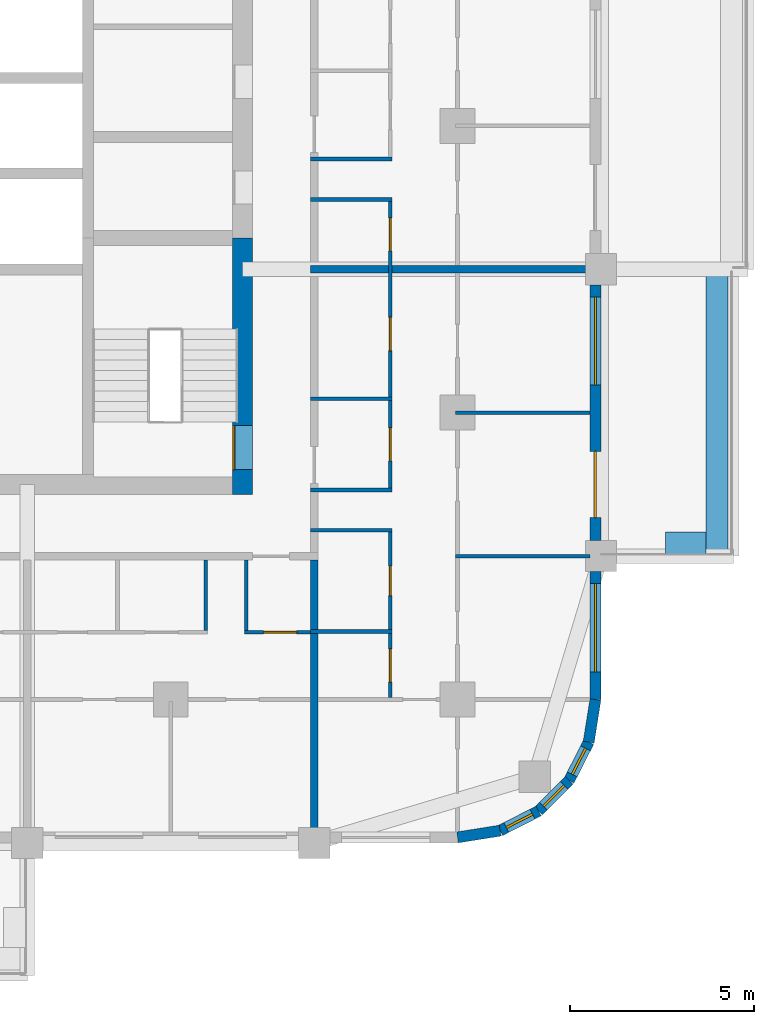
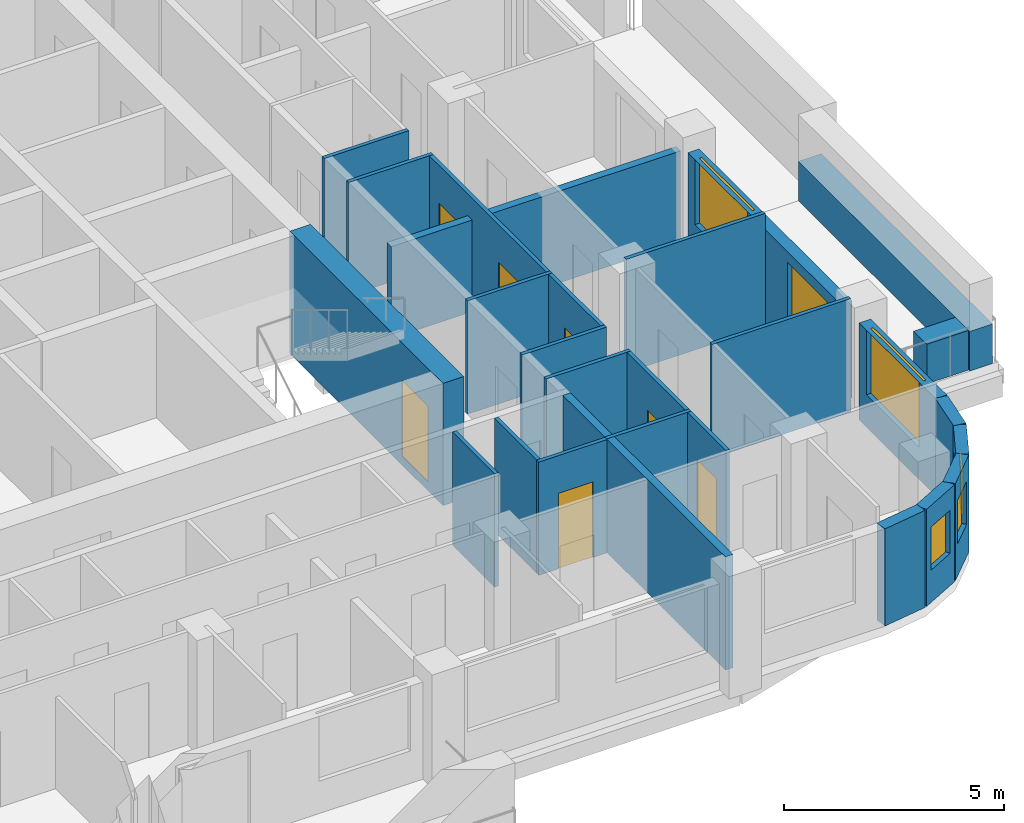
# One storey, part 6 of 13: 25 walls, 8 doors, 5 windows, 13 openings.
"""IFC4 building model written with IfcOpenShell, lengths in metres."""

from ifc_helpers import new_model, si_unit, direction, frame, frame_2d, origin, place, context, subcontext, project, spatial, rectangle, extrude, material, layer, layer_set, type_object, element, fill, save


model = new_model("IFC4")

# Units and contexts
model_context = context("Model", 3, precision=1e-05, world=origin(), true_north=direction((0.0, 1.0)))
body_context = subcontext(model_context, "Body", "Model", "MODEL_VIEW")
ifc_project = project(units=[si_unit("LENGTHUNIT", "METRE"), si_unit("AREAUNIT", "SQUARE_METRE"), si_unit("VOLUMEUNIT", "CUBIC_METRE"), si_unit("PLANEANGLEUNIT", "RADIAN"), si_unit("MASSUNIT", "GRAM", prefix="KILO")], contexts=[model_context])

# Site, building, storey
site_placement = place(None, origin())
site = spatial("IfcSite", under=ifc_project, at=site_placement, CompositionType="ELEMENT")
building_placement = place(site_placement, origin())
building = spatial("IfcBuilding", under=site, at=building_placement, Name="Ludao Terraces", CompositionType="ELEMENT")
storey_placement = place(building_placement, frame((0.0, 0.0, 130.5)))
storey = spatial("IfcBuildingStorey", under=building, at=storey_placement, Name="L35", CompositionType="ELEMENT", Elevation=130.5)

# Wall, opening, door
ifc_material_1 = material(Name="Concrete C60", Category="concrete")
ifc_layer_1 = layer(ifc_material_1, 0.550048828125)
ifc_layer_set_1 = layer_set([ifc_layer_1], Name="Core wall 550 C60")
wall_type_1 = type_object("IfcWallType", Name="Core wall 550 C60", PredefinedType="SOLIDWALL", material=ifc_layer_set_1)
wall_1_placement = place(storey_placement, frame((94.75, 54.97509765625, -0.25), z_axis=(0.0, 0.0, 1.0), x_axis=(0.0, 1.0, 0.0)))
wall_1 = element("IfcWall", 1, at=wall_1_placement, inside=storey, type_object=wall_type_1, Name="Core wall L35 outer-E-S3", PredefinedType="SOLIDWALL", context=body_context, shape_type="SweptSolid", body=[
    extrude(rectangle(XDim=6.974853515625, YDim=0.550048828125, at=frame_2d((3.4873046875, 0.0))), origin(), (0.0, 0.0, 1.0), 3.39990234375),
])
opening_1_placement = place(wall_1_placement, frame((0.675048828125, 0.0, 0.25)))
opening_1 = element("IfcOpeningElement", 2, at=opening_1_placement, cuts=wall_1, Name="Opening R11-032", PredefinedType="OPENING", context=body_context, shape_type="SweptSolid", body=[
    extrude(rectangle(XDim=1.199951171875, YDim=2.10009765625, at=frame_2d((0.60009765625, 1.050048828125))), frame((0.0, 0.28515625, 0.0), z_axis=(0.0, -1.0, 0.0), x_axis=(1.0, 0.0, 0.0)), (0.0, 0.0, 1.0), 0.570068359375),
])
ifc_material_2 = material(Name="Steel Q235", Category="steel")
door_type_1 = type_object("IfcDoorType", Name="INT Stair door 1200", OperationType="DOUBLE_DOOR_SINGLE_SWING", PredefinedType="DOOR", material=ifc_material_2)
door_1_placement = place(opening_1_placement, origin())
door_1 = element("IfcDoor", 3, at=door_1_placement, inside=storey, type_object=door_type_1, Name="DOOR 032", OperationType="DOUBLE_DOOR_SINGLE_SWING", OverallHeight=2.10009765625, OverallWidth=1.199951171875, PredefinedType="DOOR", context=body_context, shape_type="SweptSolid", body=[
    extrude(rectangle(XDim=1.199951171875, YDim=2.10009765625, at=frame_2d((0.60009765625, 1.050048828125))), frame((0.0, 0.26025390625, 0.0), z_axis=(0.0, -1.0, 0.0), x_axis=(1.0, 0.0, 0.0)), (0.0, 0.0, 1.0), 0.050048828125),
])
fill(opening_1, door_1)

# Walls
ifc_material_3 = material(Name="Concrete C40", Category="concrete")
ifc_layer_2 = layer(ifc_material_3, 0.60009765625)
ifc_layer_set_2 = layer_set([ifc_layer_2], Name="ENV Planter trough 600")
wall_type_2 = type_object("IfcWallType", Name="ENV Planter trough 600", PredefinedType="USERDEFINED", material=ifc_layer_set_2)
wall_2_placement = place(storey_placement, frame((107.64990234375, 53.300048828125, 0.0), z_axis=(0.0, 0.0, 1.0), x_axis=(0.0, 1.0, 0.0)))
element("IfcWall", 4, at=wall_2_placement, inside=storey, type_object=wall_type_2, Name="PL-L35-E1", ObjectType="PLANTER", PredefinedType="USERDEFINED", context=body_context, shape_type="SweptSolid", body=[
    extrude(rectangle(XDim=7.800048828125, YDim=0.60009765625, at=frame_2d((3.89990234375, 0.0))), origin(), (0.0, 0.0, 1.0), 1.10009765625),
])
wall_3_placement = place(storey_placement, frame((107.35009765625, 53.64990234375, 0.0), z_axis=(0.0, 0.0, 1.0), x_axis=(-1.0, 0.0, 0.0)))
element("IfcWall", 5, at=wall_3_placement, inside=storey, type_object=wall_type_2, Name="PL-L35-E1-SA", ObjectType="PLANTER", PredefinedType="USERDEFINED", context=body_context, shape_type="SweptSolid", body=[
    extrude(rectangle(XDim=1.10009765625, YDim=0.60009765625, at=frame_2d((0.550048828125, 0.0))), origin(), (0.0, 0.0, 1.0), 1.10009765625),
])

# Wall, opening, window
ifc_material_4 = material(Name="Granite cladding", Category="masonry")
ifc_layer_3 = layer(ifc_material_4, 0.0400390625, Category="stone")
ifc_material_5 = material(Name="Mineral wool")
ifc_layer_4 = layer(ifc_material_5, 0.06005859375)
ifc_layer_5 = layer(ifc_material_3, 0.199951171875, Category="concrete")
ifc_layer_set_3 = layer_set([ifc_layer_3, ifc_layer_4, ifc_layer_5], Name="ENV Stone-clad wall 300")
wall_type_3 = type_object("IfcWallType", Name="ENV Stone-clad wall 300", PredefinedType="SOLIDWALL", material=ifc_layer_set_3)
wall_4_placement = place(storey_placement, frame((104.35009765625, 49.39990234375, 0.0), z_axis=(0.0, 0.0, 1.0), x_axis=(0.0, 1.0, 0.0)))
wall_4 = element("IfcWall", 6, at=wall_4_placement, inside=storey, type_object=wall_type_3, Name="EW-L35-E1", PredefinedType="SOLIDWALL", context=body_context, shape_type="SweptSolid", body=[
    extrude(rectangle(XDim=3.47509765625, YDim=0.300048828125, at=frame_2d((1.737548828125, 0.0))), origin(), (0.0, 0.0, 1.0), 2.699951171875),
])
opening_2_placement = place(wall_4_placement, frame((0.75, 0.0, 0.89990234375)))
opening_2 = element("IfcOpeningElement", 7, at=opening_2_placement, cuts=wall_4, Name="Opening W1", PredefinedType="OPENING", context=body_context, shape_type="SweptSolid", body=[
    extrude(rectangle(XDim=2.39990234375, YDim=1.800048828125, at=frame_2d((1.199951171875, 0.89990234375))), frame((0.0, 0.16015625, 0.0), z_axis=(0.0, -1.0, 0.0), x_axis=(1.0, 0.0, 0.0)), (0.0, 0.0, 1.0), 0.320068359375),
])
ifc_material_6 = material(Name="Clear glass in aluminium frame", Category="aluminium")
ifc_layer_6 = layer(ifc_material_6, 0.06005859375)
ifc_layer_set_4 = layer_set([ifc_layer_6], Name="ENV Window W1 2400x1800")
window_type_1 = type_object("IfcWindowType", Name="ENV Window W1 2400x1800", PartitioningType="DOUBLE_PANEL_VERTICAL", PredefinedType="WINDOW", material=ifc_layer_set_4)
window_1_placement = place(opening_2_placement, origin())
window_1 = element("IfcWindow", 8, at=window_1_placement, inside=storey, type_object=window_type_1, Name="W-L35-E1-1", OverallHeight=1.800048828125, OverallWidth=2.39990234375, PartitioningType="DOUBLE_PANEL_VERTICAL", PredefinedType="WINDOW", context=body_context, shape_type="SweptSolid", body=[
    extrude(rectangle(XDim=2.39990234375, YDim=1.800048828125, at=frame_2d((1.199951171875, 0.89990234375))), frame((0.0, 0.030029296875, 0.0), z_axis=(0.0, -1.0, 0.0), x_axis=(1.0, 0.0, 0.0)), (0.0, 0.0, 1.0), 0.06005859375),
])
fill(opening_2, window_1)

# Wall, openings, door, window
wall_5_placement = place(storey_placement, frame((104.35009765625, 53.72509765625, 0.0), z_axis=(0.0, 0.0, 1.0), x_axis=(0.0, 1.0, 0.0)))
wall_5 = element("IfcWall", 9, at=wall_5_placement, inside=storey, type_object=wall_type_3, Name="EW-L35-E2", PredefinedType="SOLIDWALL", context=body_context, shape_type="SweptSolid", body=[
    extrude(rectangle(XDim=6.949951171875, YDim=0.300048828125, at=frame_2d((3.47509765625, 0.0))), origin(), (0.0, 0.0, 1.0), 2.699951171875),
])
opening_3_placement = place(wall_5_placement, frame((0.625, 0.0, 0.0)))
opening_3 = element("IfcOpeningElement", 10, at=opening_3_placement, cuts=wall_5, Name="Opening BD", PredefinedType="OPENING", context=body_context, shape_type="SweptSolid", body=[
    extrude(rectangle(XDim=1.800048828125, YDim=2.39990234375, at=frame_2d((0.89990234375, 1.199951171875))), frame((0.0, 0.16015625, 0.0), z_axis=(0.0, -1.0, 0.0), x_axis=(1.0, 0.0, 0.0)), (0.0, 0.0, 1.0), 0.320068359375),
])
opening_4_placement = place(wall_5_placement, frame((4.22509765625, 0.0, 0.89990234375)))
opening_4 = element("IfcOpeningElement", 11, at=opening_4_placement, cuts=wall_5, Name="Opening W1", PredefinedType="OPENING", context=body_context, shape_type="SweptSolid", body=[
    extrude(rectangle(XDim=2.39990234375, YDim=1.800048828125, at=frame_2d((1.199951171875, 0.89990234375))), frame((0.0, 0.16015625, 0.0), z_axis=(0.0, -1.0, 0.0), x_axis=(1.0, 0.0, 0.0)), (0.0, 0.0, 1.0), 0.320068359375),
])
ifc_material_7 = material(Name="Aluminium glazed door", Category="aluminium")
ifc_layer_7 = layer(ifc_material_7, 0.06005859375)
ifc_layer_set_5 = layer_set([ifc_layer_7], Name="ENV Balcony door BD 1800x2400")
door_type_2 = type_object("IfcDoorType", Name="ENV Balcony door BD 1800x2400", OperationType="DOUBLE_DOOR_SINGLE_SWING", PredefinedType="DOOR", material=ifc_layer_set_5)
door_2_placement = place(opening_3_placement, origin())
door_2 = element("IfcDoor", 12, at=door_2_placement, inside=storey, type_object=door_type_2, Name="BD-L35-E2-1", OperationType="DOUBLE_DOOR_SINGLE_SWING", OverallHeight=2.39990234375, OverallWidth=1.800048828125, PredefinedType="DOOR", context=body_context, shape_type="SweptSolid", body=[
    extrude(rectangle(XDim=1.800048828125, YDim=2.39990234375, at=frame_2d((0.89990234375, 1.199951171875))), frame((0.0, 0.02490234375, 0.0), z_axis=(0.0, -1.0, 0.0), x_axis=(1.0, 0.0, 0.0)), (0.0, 0.0, 1.0), 0.050048828125),
])
fill(opening_3, door_2)
window_2_placement = place(opening_4_placement, origin())
window_2 = element("IfcWindow", 13, at=window_2_placement, inside=storey, type_object=window_type_1, Name="W-L35-E2-2", OverallHeight=1.800048828125, OverallWidth=2.39990234375, PartitioningType="DOUBLE_PANEL_VERTICAL", PredefinedType="WINDOW", context=body_context, shape_type="SweptSolid", body=[
    extrude(rectangle(XDim=2.39990234375, YDim=1.800048828125, at=frame_2d((1.199951171875, 0.89990234375))), frame((0.0, 0.030029296875, 0.0), z_axis=(0.0, -1.0, 0.0), x_axis=(1.0, 0.0, 0.0)), (0.0, 0.0, 1.0), 0.06005859375),
])
fill(opening_4, window_2)

# Wall
wall_6_placement = place(storey_placement, frame((100.60009765625, 45.64990234375, 0.0), z_axis=(0.0, 0.0, 1.0), x_axis=(0.987678452879, 0.156496880861, 0.0)))
element("IfcWall", 14, at=wall_6_placement, inside=storey, type_object=wall_type_3, Name="EW-L35-SE1", PredefinedType="SOLIDWALL", context=body_context, shape_type="SweptSolid", body=[
    extrude(rectangle(XDim=1.173095703125, YDim=0.300048828125, at=frame_2d((0.58642578125, 0.0))), origin(), (0.0, 0.0, 1.0), 2.699951171875),
])

# Wall, opening, window
wall_7_placement = place(storey_placement, frame((101.7587890625, 45.83349609375, 0.0), z_axis=(0.0, 0.0, 1.0), x_axis=(0.890988677504, 0.454025524128, 0.0)))
wall_7 = element("IfcWall", 15, at=wall_7_placement, inside=storey, type_object=wall_type_3, Name="EW-L35-SE2", PredefinedType="SOLIDWALL", context=body_context, shape_type="SweptSolid", body=[
    extrude(rectangle(XDim=1.17333984375, YDim=0.300048828125, at=frame_2d((0.586669921875, 0.0))), origin(), (0.0, 0.0, 1.0), 2.699951171875),
])
opening_5_placement = place(wall_7_placement, frame((0.1865234375, 0.0, 0.89990234375)))
opening_5 = element("IfcOpeningElement", 16, at=opening_5_placement, cuts=wall_7, Name="Opening W3", PredefinedType="OPENING", context=body_context, shape_type="SweptSolid", body=[
    extrude(rectangle(XDim=0.800048828125, YDim=1.199951171875, at=frame_2d((0.39990234375, 0.60009765625))), frame((0.0, 0.16015625, 0.0), z_axis=(0.0, -1.0, 0.0), x_axis=(1.0, 0.0, 0.0)), (0.0, 0.0, 1.0), 0.320068359375),
])
ifc_layer_8 = layer(ifc_material_6, 0.06005859375)
ifc_layer_set_6 = layer_set([ifc_layer_8], Name="ENV Window W3 800x1200")
window_type_2 = type_object("IfcWindowType", Name="ENV Window W3 800x1200", PartitioningType="SINGLE_PANEL", PredefinedType="WINDOW", material=ifc_layer_set_6)
window_3_placement = place(opening_5_placement, origin())
window_3 = element("IfcWindow", 17, at=window_3_placement, inside=storey, type_object=window_type_2, Name="W-L35-SE2", OverallHeight=1.199951171875, OverallWidth=0.800048828125, PartitioningType="SINGLE_PANEL", PredefinedType="WINDOW", context=body_context, shape_type="SweptSolid", body=[
    extrude(rectangle(XDim=0.800048828125, YDim=1.199951171875, at=frame_2d((0.39990234375, 0.60009765625))), frame((0.0, 0.030029296875, 0.0), z_axis=(0.0, -1.0, 0.0), x_axis=(1.0, 0.0, 0.0)), (0.0, 0.0, 1.0), 0.06005859375),
])
fill(opening_5, window_3)

wall_8_placement = place(storey_placement, frame((102.80419921875, 46.3662109375, 0.0), z_axis=(0.0, 0.0, 1.0), x_axis=(0.707106781187, 0.707106781187, 0.0)))
wall_8 = element("IfcWall", 18, at=wall_8_placement, inside=storey, type_object=wall_type_3, Name="EW-L35-SE3", PredefinedType="SOLIDWALL", context=body_context, shape_type="SweptSolid", body=[
    extrude(rectangle(XDim=1.173095703125, YDim=0.300048828125, at=frame_2d((0.58642578125, 0.0))), origin(), (0.0, 0.0, 1.0), 2.699951171875),
])
opening_6_placement = place(wall_8_placement, frame((0.1865234375, 0.0, 0.89990234375)))
opening_6 = element("IfcOpeningElement", 19, at=opening_6_placement, cuts=wall_8, Name="Opening W3", PredefinedType="OPENING", context=body_context, shape_type="SweptSolid", body=[
    extrude(rectangle(XDim=0.800048828125, YDim=1.199951171875, at=frame_2d((0.39990234375, 0.60009765625))), frame((0.0, 0.16015625, 0.0), z_axis=(0.0, -1.0, 0.0), x_axis=(1.0, 0.0, 0.0)), (0.0, 0.0, 1.0), 0.320068359375),
])
window_4_placement = place(opening_6_placement, origin())
window_4 = element("IfcWindow", 20, at=window_4_placement, inside=storey, type_object=window_type_2, Name="W-L35-SE3", OverallHeight=1.199951171875, OverallWidth=0.800048828125, PartitioningType="SINGLE_PANEL", PredefinedType="WINDOW", context=body_context, shape_type="SweptSolid", body=[
    extrude(rectangle(XDim=0.800048828125, YDim=1.199951171875, at=frame_2d((0.39990234375, 0.60009765625))), frame((0.0, 0.030029296875, 0.0), z_axis=(0.0, -1.0, 0.0), x_axis=(1.0, 0.0, 0.0)), (0.0, 0.0, 1.0), 0.06005859375),
])
fill(opening_6, window_4)

wall_9_placement = place(storey_placement, frame((103.6337890625, 47.19580078125, 0.0), z_axis=(0.0, 0.0, 1.0), x_axis=(0.454025524128, 0.890988677504, 0.0)))
wall_9 = element("IfcWall", 21, at=wall_9_placement, inside=storey, type_object=wall_type_3, Name="EW-L35-SE4", PredefinedType="SOLIDWALL", context=body_context, shape_type="SweptSolid", body=[
    extrude(rectangle(XDim=1.17333984375, YDim=0.300048828125, at=frame_2d((0.586669921875, 0.0))), origin(), (0.0, 0.0, 1.0), 2.699951171875),
])
opening_7_placement = place(wall_9_placement, frame((0.1865234375, 0.0, 0.89990234375)))
opening_7 = element("IfcOpeningElement", 22, at=opening_7_placement, cuts=wall_9, Name="Opening W3", PredefinedType="OPENING", context=body_context, shape_type="SweptSolid", body=[
    extrude(rectangle(XDim=0.800048828125, YDim=1.199951171875, at=frame_2d((0.39990234375, 0.60009765625))), frame((0.0, 0.16015625, 0.0), z_axis=(0.0, -1.0, 0.0), x_axis=(1.0, 0.0, 0.0)), (0.0, 0.0, 1.0), 0.320068359375),
])
window_5_placement = place(opening_7_placement, origin())
window_5 = element("IfcWindow", 23, at=window_5_placement, inside=storey, type_object=window_type_2, Name="W-L35-SE4", OverallHeight=1.199951171875, OverallWidth=0.800048828125, PartitioningType="SINGLE_PANEL", PredefinedType="WINDOW", context=body_context, shape_type="SweptSolid", body=[
    extrude(rectangle(XDim=0.800048828125, YDim=1.199951171875, at=frame_2d((0.39990234375, 0.60009765625))), frame((0.0, 0.030029296875, 0.0), z_axis=(0.0, -1.0, 0.0), x_axis=(1.0, 0.0, 0.0)), (0.0, 0.0, 1.0), 0.06005859375),
])
fill(opening_7, window_5)

# Wall
wall_10_placement = place(storey_placement, frame((104.16650390625, 48.2412109375, 0.0), z_axis=(0.0, 0.0, 1.0), x_axis=(0.156496880861, 0.987678452879, 0.0)))
element("IfcWall", 24, at=wall_10_placement, inside=storey, type_object=wall_type_3, Name="EW-L35-SE5", PredefinedType="SOLIDWALL", context=body_context, shape_type="SweptSolid", body=[
    extrude(rectangle(XDim=1.173095703125, YDim=0.300048828125, at=frame_2d((0.58642578125, 0.0))), origin(), (0.0, 0.0, 1.0), 2.699951171875),
])

# Wall, opening, door
ifc_material_8 = material(Name="Gypsum plasterboard", Category="gypsum")
ifc_layer_9 = layer(ifc_material_8, 0.012451171875, Category="gypsum")
ifc_layer_10 = layer(ifc_material_5, 0.06005859375, Name="insulation")
ifc_layer_11 = layer(ifc_material_2, 0.014892578125, Name="stud")
ifc_layer_12 = layer(ifc_material_8, 0.012451171875, Category="gypsum")
ifc_layer_set_7 = layer_set([ifc_layer_9, ifc_layer_10, ifc_layer_11, ifc_layer_12], Name="INT Partition 100")
wall_type_4 = type_object("IfcWallType", Name="INT Partition 100", PredefinedType="PARTITIONING", material=ifc_layer_set_7)
wall_11_placement = place(storey_placement, frame((94.800048828125, 51.22998046875, 0.0), z_axis=(0.0, 0.0, 1.0), x_axis=(1.0, 0.0, 0.0)))
wall_11 = element("IfcWall", 25, at=wall_11_placement, inside=storey, type_object=wall_type_4, Name="PW-L35-PW003", PredefinedType="PARTITIONING", context=body_context, shape_type="SweptSolid", body=[
    extrude(rectangle(XDim=1.800048828125, YDim=0.10009765625, at=frame_2d((0.89990234375, 0.0))), origin(), (0.0, 0.0, 1.0), 3.14990234375),
])
opening_8_placement = place(wall_11_placement, frame((0.52490234375, 0.0, 0.0)))
opening_8 = element("IfcOpeningElement", 26, at=opening_8_placement, cuts=wall_11, Name="Opening R11-021", PredefinedType="OPENING", context=body_context, shape_type="SweptSolid", body=[
    extrude(rectangle(XDim=0.89990234375, YDim=2.10009765625, at=frame_2d((0.449951171875, 1.050048828125))), frame((0.0, 0.06005859375, 0.0), z_axis=(0.0, -1.0, 0.0), x_axis=(1.0, 0.0, 0.0)), (0.0, 0.0, 1.0), 0.1201171875),
])
ifc_material_9 = material(Name="Timber door leaf", Category="wood")
door_type_3 = type_object("IfcDoorType", Name="INT Room door 900", OperationType="SINGLE_SWING_LEFT", PredefinedType="DOOR", material=ifc_material_9)
door_3_placement = place(opening_8_placement, origin())
door_3 = element("IfcDoor", 27, at=door_3_placement, inside=storey, type_object=door_type_3, Name="DOOR 021", OperationType="SINGLE_SWING_LEFT", OverallHeight=2.10009765625, OverallWidth=0.89990234375, PredefinedType="DOOR", context=body_context, shape_type="SweptSolid", body=[
    extrude(rectangle(XDim=0.89990234375, YDim=2.10009765625, at=frame_2d((0.449951171875, 1.050048828125))), frame((0.0, 0.02490234375, 0.0), z_axis=(0.0, -1.0, 0.0), x_axis=(1.0, 0.0, 0.0)), (0.0, 0.0, 1.0), 0.050048828125),
])
fill(opening_8, door_3)

# Walls
wall_12_placement = place(storey_placement, frame((96.60009765625, 51.25, 0.0), z_axis=(0.0, 0.0, 1.0), x_axis=(1.0, 0.0, 0.0)))
element("IfcWall", 28, at=wall_12_placement, inside=storey, type_object=wall_type_4, Name="PW-L35-PW004", PredefinedType="PARTITIONING", context=body_context, shape_type="SweptSolid", body=[
    extrude(rectangle(XDim=2.219970703125, YDim=0.10009765625, at=frame_2d((1.10986328125, 0.0))), origin(), (0.0, 0.0, 1.0), 3.14990234375),
])
wall_13_placement = place(storey_placement, frame((100.550048828125, 53.300048828125, 0.0), z_axis=(0.0, 0.0, 1.0), x_axis=(1.0, 0.0, 0.0)))
element("IfcWall", 29, at=wall_13_placement, inside=storey, type_object=wall_type_4, Name="PW-L35-PW007", PredefinedType="PARTITIONING", context=body_context, shape_type="SweptSolid", body=[
    extrude(rectangle(XDim=3.650146484375, YDim=0.10009765625, at=frame_2d((1.8251953125, 0.0))), origin(), (0.0, 0.0, 1.0), 3.14990234375),
])
for number, where, z_axis, x_axis, name in (
    (30, (96.60009765625, 54.0, 0.0), (0.0, 0.0, 1.0), (1.0, 0.0, 0.0), "PW-L35-PW009"),
    (31, (96.60009765625, 55.10009765625, 0.0), (0.0, 0.0, 1.0), (1.0, 0.0, 0.0), "PW-L35-PW011"),
):
    element("IfcWall", number, at=place(storey_placement, frame(where, z_axis=z_axis, x_axis=x_axis)), inside=storey, type_object=wall_type_4, Name=name, PredefinedType="PARTITIONING", context=body_context, shape_type="SweptSolid", body=[
        extrude(rectangle(XDim=2.219970703125, YDim=0.10009765625, at=frame_2d((1.10986328125, 0.0))), origin(), (0.0, 0.0, 1.0), 3.14990234375),
    ])
wall_14_placement = place(storey_placement, frame((100.550048828125, 57.199951171875, 0.0), z_axis=(0.0, 0.0, 1.0), x_axis=(1.0, 0.0, 0.0)))
element("IfcWall", 32, at=wall_14_placement, inside=storey, type_object=wall_type_4, Name="PW-L35-PW014", PredefinedType="PARTITIONING", context=body_context, shape_type="SweptSolid", body=[
    extrude(rectangle(XDim=3.650146484375, YDim=0.10009765625, at=frame_2d((1.8251953125, 0.0))), origin(), (0.0, 0.0, 1.0), 3.14990234375),
])
for number, where, z_axis, x_axis, name in (
    (33, (96.60009765625, 57.580078125, 0.0), (0.0, 0.0, 1.0), (1.0, 0.0, 0.0), "PW-L35-PW015"),
    (34, (96.60009765625, 63.0, 0.0), (0.0, 0.0, 1.0), (1.0, 0.0, 0.0), "PW-L35-PW020"),
    (35, (96.60009765625, 64.10009765625, 0.0), (0.0, 0.0, 1.0), (1.0, 0.0, 0.0), "PW-L35-PW022"),
):
    element("IfcWall", number, at=place(storey_placement, frame(where, z_axis=z_axis, x_axis=x_axis)), inside=storey, type_object=wall_type_4, Name=name, PredefinedType="PARTITIONING", context=body_context, shape_type="SweptSolid", body=[
        extrude(rectangle(XDim=2.219970703125, YDim=0.10009765625, at=frame_2d((1.10986328125, 0.0))), origin(), (0.0, 0.0, 1.0), 3.14990234375),
    ])
for number, where, z_axis, x_axis, name in (
    (36, (93.75, 51.280029296875, 0.0), (0.0, 0.0, 1.0), (0.0, 1.0, 0.0), "PW-L35-PW067"),
    (37, (94.85009765625, 51.280029296875, 0.0), (0.0, 0.0, 1.0), (0.0, 1.0, 0.0), "PW-L35-PW068"),
):
    element("IfcWall", number, at=place(storey_placement, frame(where, z_axis=z_axis, x_axis=x_axis)), inside=storey, type_object=wall_type_4, Name=name, PredefinedType="PARTITIONING", context=body_context, shape_type="SweptSolid", body=[
        extrude(rectangle(XDim=1.920166015625, YDim=0.10009765625, at=frame_2d((0.9599609375, 0.0))), origin(), (0.0, 0.0, 1.0), 3.14990234375),
    ])

# Wall, openings, doors
wall_15_placement = place(storey_placement, frame((98.77001953125, 49.4501953125, 0.0), z_axis=(0.0, 0.0, 1.0), x_axis=(0.0, 1.0, 0.0)))
wall_15 = element("IfcWall", 38, at=wall_15_placement, inside=storey, type_object=wall_type_4, Name="PW-L35-PW071", PredefinedType="PARTITIONING", context=body_context, shape_type="SweptSolid", body=[
    extrude(rectangle(XDim=4.5, YDim=0.10009765625, at=frame_2d((2.25, 0.0))), origin(), (0.0, 0.0, 1.0), 3.14990234375),
])
opening_9_placement = place(wall_15_placement, frame((0.4248046875, 0.0, 0.0)))
opening_9 = element("IfcOpeningElement", 39, at=opening_9_placement, cuts=wall_15, Name="Opening R11-011", PredefinedType="OPENING", context=body_context, shape_type="SweptSolid", body=[
    extrude(rectangle(XDim=0.89990234375, YDim=2.10009765625, at=frame_2d((0.449951171875, 1.050048828125))), frame((0.0, 0.06005859375, 0.0), z_axis=(0.0, -1.0, 0.0), x_axis=(1.0, 0.0, 0.0)), (0.0, 0.0, 1.0), 0.1201171875),
])
opening_10_placement = place(wall_15_placement, frame((2.77490234375, 0.0, 0.0)))
opening_10 = element("IfcOpeningElement", 40, at=opening_10_placement, cuts=wall_15, Name="Opening R11-024", PredefinedType="OPENING", context=body_context, shape_type="SweptSolid", body=[
    extrude(rectangle(XDim=0.800048828125, YDim=2.10009765625, at=frame_2d((0.39990234375, 1.050048828125))), frame((0.0, 0.06005859375, 0.0), z_axis=(0.0, -1.0, 0.0), x_axis=(1.0, 0.0, 0.0)), (0.0, 0.0, 1.0), 0.1201171875),
])
door_type_4 = type_object("IfcDoorType", Name="INT Bathroom door 900", OperationType="SINGLE_SWING_LEFT", PredefinedType="DOOR", material=ifc_material_9)
door_4_placement = place(opening_9_placement, origin())
door_4 = element("IfcDoor", 41, at=door_4_placement, inside=storey, type_object=door_type_4, Name="DOOR 011", OperationType="SINGLE_SWING_LEFT", OverallHeight=2.10009765625, OverallWidth=0.89990234375, PredefinedType="DOOR", context=body_context, shape_type="SweptSolid", body=[
    extrude(rectangle(XDim=0.89990234375, YDim=2.10009765625, at=frame_2d((0.449951171875, 1.050048828125))), frame((0.0, 0.02490234375, 0.0), z_axis=(0.0, -1.0, 0.0), x_axis=(1.0, 0.0, 0.0)), (0.0, 0.0, 1.0), 0.050048828125),
])
fill(opening_9, door_4)
door_type_5 = type_object("IfcDoorType", Name="INT Store door 800", OperationType="SINGLE_SWING_LEFT", PredefinedType="DOOR", material=ifc_material_9)
door_5_placement = place(opening_10_placement, origin())
door_5 = element("IfcDoor", 42, at=door_5_placement, inside=storey, type_object=door_type_5, Name="DOOR 024", OperationType="SINGLE_SWING_LEFT", OverallHeight=2.10009765625, OverallWidth=0.800048828125, PredefinedType="DOOR", context=body_context, shape_type="SweptSolid", body=[
    extrude(rectangle(XDim=0.800048828125, YDim=2.10009765625, at=frame_2d((0.39990234375, 1.050048828125))), frame((0.0, 0.02490234375, 0.0), z_axis=(0.0, -1.0, 0.0), x_axis=(1.0, 0.0, 0.0)), (0.0, 0.0, 1.0), 0.050048828125),
])
fill(opening_10, door_5)

wall_16_placement = place(storey_placement, frame((98.77001953125, 55.150146484375, 0.0), z_axis=(0.0, 0.0, 1.0), x_axis=(0.0, 1.0, 0.0)))
wall_16 = element("IfcWall", 43, at=wall_16_placement, inside=storey, type_object=wall_type_4, Name="PW-L35-PW072", PredefinedType="PARTITIONING", context=body_context, shape_type="SweptSolid", body=[
    extrude(rectangle(XDim=7.800048828125, YDim=0.10009765625, at=frame_2d((3.89990234375, 0.0))), origin(), (0.0, 0.0, 1.0), 3.14990234375),
])
opening_11_placement = place(wall_16_placement, frame((0.739990234375, 0.0, 0.0)))
opening_11 = element("IfcOpeningElement", 44, at=opening_11_placement, cuts=wall_16, Name="Opening R11-033", PredefinedType="OPENING", context=body_context, shape_type="SweptSolid", body=[
    extrude(rectangle(XDim=0.89990234375, YDim=2.10009765625, at=frame_2d((0.449951171875, 1.050048828125))), frame((0.0, 0.06005859375, 0.0), z_axis=(0.0, -1.0, 0.0), x_axis=(1.0, 0.0, 0.0)), (0.0, 0.0, 1.0), 0.1201171875),
])
opening_12_placement = place(wall_16_placement, frame((3.739990234375, 0.0, 0.0)))
opening_12 = element("IfcOpeningElement", 45, at=opening_12_placement, cuts=wall_16, Name="Opening R11-039", PredefinedType="OPENING", context=body_context, shape_type="SweptSolid", body=[
    extrude(rectangle(XDim=0.89990234375, YDim=2.10009765625, at=frame_2d((0.449951171875, 1.050048828125))), frame((0.0, 0.06005859375, 0.0), z_axis=(0.0, -1.0, 0.0), x_axis=(1.0, 0.0, 0.0)), (0.0, 0.0, 1.0), 0.1201171875),
])
opening_13_placement = place(wall_16_placement, frame((6.449951171875, 0.0, 0.0)))
opening_13 = element("IfcOpeningElement", 46, at=opening_13_placement, cuts=wall_16, Name="Opening R11-042", PredefinedType="OPENING", context=body_context, shape_type="SweptSolid", body=[
    extrude(rectangle(XDim=0.89990234375, YDim=2.10009765625, at=frame_2d((0.449951171875, 1.050048828125))), frame((0.0, 0.06005859375, 0.0), z_axis=(0.0, -1.0, 0.0), x_axis=(1.0, 0.0, 0.0)), (0.0, 0.0, 1.0), 0.1201171875),
])
door_6_placement = place(opening_11_placement, origin())
door_6 = element("IfcDoor", 47, at=door_6_placement, inside=storey, type_object=door_type_4, Name="DOOR 033", OperationType="SINGLE_SWING_RIGHT", OverallHeight=2.10009765625, OverallWidth=0.89990234375, PredefinedType="DOOR", context=body_context, shape_type="SweptSolid", body=[
    extrude(rectangle(XDim=0.89990234375, YDim=2.10009765625, at=frame_2d((0.449951171875, 1.050048828125))), frame((0.0, 0.02490234375, 0.0), z_axis=(0.0, -1.0, 0.0), x_axis=(1.0, 0.0, 0.0)), (0.0, 0.0, 1.0), 0.050048828125),
])
fill(opening_11, door_6)
door_7_placement = place(opening_12_placement, origin())
door_7 = element("IfcDoor", 48, at=door_7_placement, inside=storey, type_object=door_type_3, Name="DOOR 039", OperationType="SINGLE_SWING_RIGHT", OverallHeight=2.10009765625, OverallWidth=0.89990234375, PredefinedType="DOOR", context=body_context, shape_type="SweptSolid", body=[
    extrude(rectangle(XDim=0.89990234375, YDim=2.10009765625, at=frame_2d((0.449951171875, 1.050048828125))), frame((0.0, 0.02490234375, 0.0), z_axis=(0.0, -1.0, 0.0), x_axis=(1.0, 0.0, 0.0)), (0.0, 0.0, 1.0), 0.050048828125),
])
fill(opening_12, door_7)
door_8_placement = place(opening_13_placement, origin())
door_8 = element("IfcDoor", 49, at=door_8_placement, inside=storey, type_object=door_type_3, Name="DOOR 042", OperationType="SINGLE_SWING_LEFT", OverallHeight=2.10009765625, OverallWidth=0.89990234375, PredefinedType="DOOR", context=body_context, shape_type="SweptSolid", body=[
    extrude(rectangle(XDim=0.89990234375, YDim=2.10009765625, at=frame_2d((0.449951171875, 1.050048828125))), frame((0.0, 0.02490234375, 0.0), z_axis=(0.0, -1.0, 0.0), x_axis=(1.0, 0.0, 0.0)), (0.0, 0.0, 1.0), 0.050048828125),
])
fill(opening_13, door_8)

# Walls
ifc_material_10 = material(Name="Autoclaved aerated concrete block B06 A3.5", Category="concrete")
ifc_layer_13 = layer(ifc_material_10, 0.199951171875)
ifc_layer_set_8 = layer_set([ifc_layer_13], Name="INT Party wall 200")
wall_type_5 = type_object("IfcWallType", Name="INT Party wall 200", PredefinedType="PARTITIONING", material=ifc_layer_set_8)
wall_17_placement = place(storey_placement, frame((96.60009765625, 61.10009765625, 0.0), z_axis=(0.0, 0.0, 1.0), x_axis=(1.0, 0.0, 0.0)))
element("IfcWall", 50, at=wall_17_placement, inside=storey, type_object=wall_type_5, Name="PW-L35-PW019", PredefinedType="PARTITIONING", context=body_context, shape_type="SweptSolid", body=[
    extrude(rectangle(XDim=7.60009765625, YDim=0.199951171875, at=frame_2d((3.800048828125, 0.0))), origin(), (0.0, 0.0, 1.0), 2.550048828125),
])
wall_18_placement = place(storey_placement, frame((96.699951171875, 45.800048828125, 0.0), z_axis=(0.0, 0.0, 1.0), x_axis=(0.0, 1.0, 0.0)))
element("IfcWall", 51, at=wall_18_placement, inside=storey, type_object=wall_type_5, Name="PW-L35-PW069", PredefinedType="PARTITIONING", context=body_context, shape_type="SweptSolid", body=[
    extrude(rectangle(XDim=7.400146484375, YDim=0.199951171875, at=frame_2d((3.7001953125, 0.0))), origin(), (0.0, 0.0, 1.0), 3.14990234375),
])

save(model, "model.ifc")
